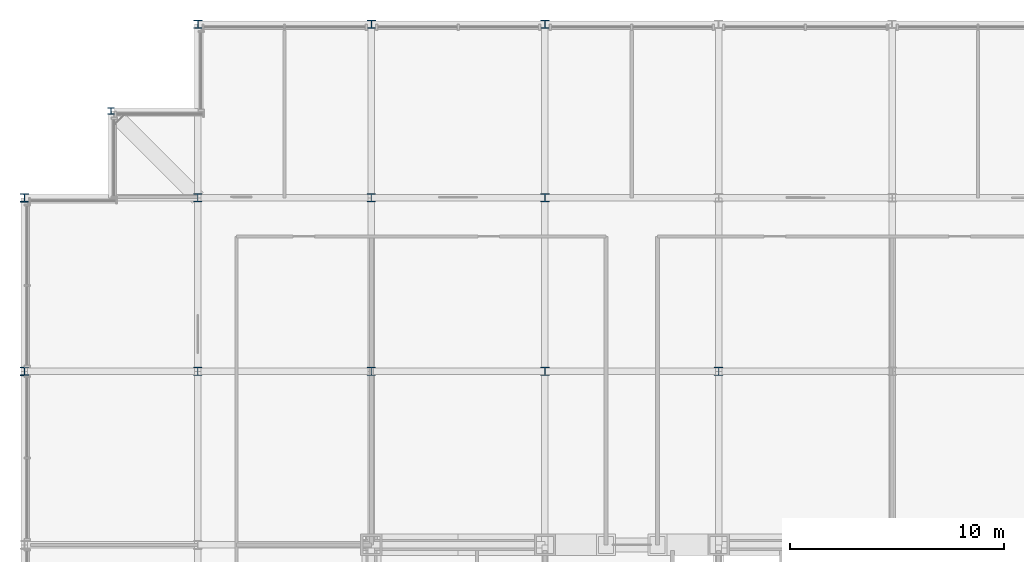
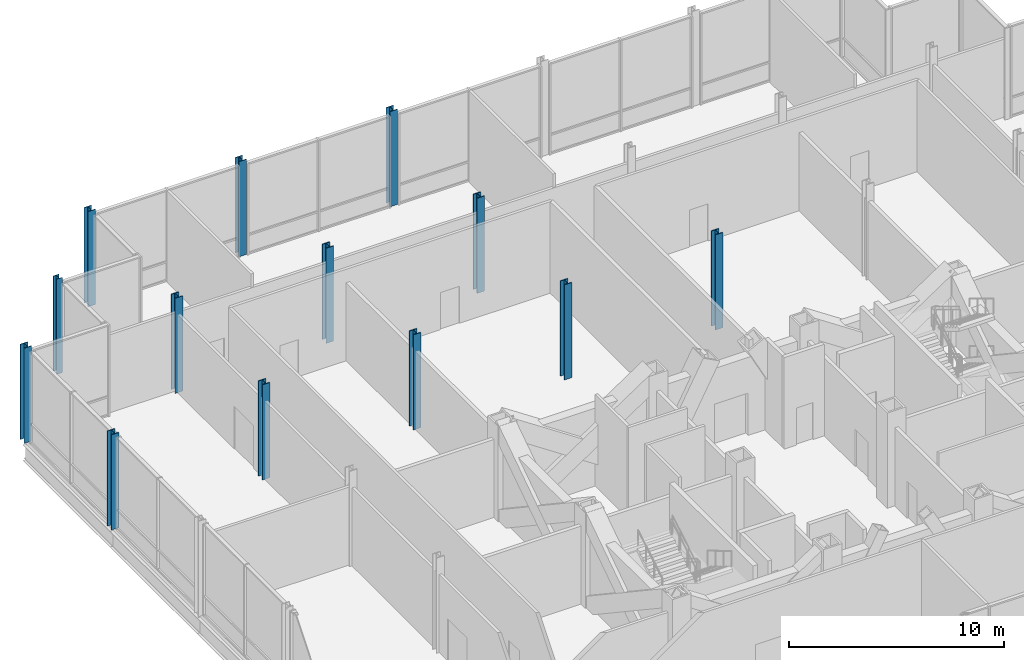
# One storey, part 3 of 21: 13 columns.
"""IFC4 building model written with IfcOpenShell, lengths in metres."""

import ifcopenshell
import ifcopenshell.guid

model = None  # the IFC model being written
_history = None  # IfcOwnerHistory: only IFC2X3 demands one
_inside = {}  # id of a spatial element -> (the spatial element, [elements in it])
_under = {}  # id of a project, library or spatial element -> (it, [spatial elements below it])
_declared = {}  # id of a project -> (the project, [libraries it declares])
_typed = {}  # id of a type object -> (the type object, [elements of that type])
_made_of = {}  # id of a material, layer set ... -> (it, [elements and type objects made of it])


def new_model(schema):
    """Start an empty IFC model of exactly this schema.

    Asked for "IFC4X3", IfcOpenShell would pick the latest addendum, in which some entities
    have other attributes; the version numbers below select the first issue.
    IFC2X3 requires an IfcOwnerHistory on every rooted entity: one is made here for all.
    """
    global model, _history
    if schema == "IFC4X3":
        model = ifcopenshell.file(schema_version=(4, 3, 0, 0))
    else:
        model = ifcopenshell.file(schema=schema)
    _inside.clear()
    _under.clear()
    _declared.clear()
    _typed.clear()
    _made_of.clear()
    _history = None
    if model.schema == "IFC2X3":
        org = make("IfcOrganization", Name="unknown")
        user = make(
            "IfcPersonAndOrganization",
            ThePerson=make("IfcPerson", FamilyName="unknown"),
            TheOrganization=org,
        )
        app = make(
            "IfcApplication",
            ApplicationDeveloper=org,
            Version="unknown",
            ApplicationFullName="unknown",
            ApplicationIdentifier="unknown",
        )
        _history = make(
            "IfcOwnerHistory",
            OwningUser=user,
            OwningApplication=app,
            ChangeAction="ADDED",
            CreationDate=0,
        )
    return model


def make(cls, **values):
    """One entity of the class cls with the attributes given. An attribute that is None is left unset."""
    return model.create_entity(
        cls, **{name: value for name, value in values.items() if value is not None}
    )


def rooted(cls, **values):
    """An entity with a GlobalId (a new one), such as an element, a storey or a relation."""
    return make(cls, GlobalId=ifcopenshell.guid.new(), OwnerHistory=_history, **values)


def si_unit(unit_type, name, prefix=None):
    """IfcSIUnit, for example si_unit("LENGTHUNIT", "METRE", prefix="MILLI")."""
    return make("IfcSIUnit", UnitType=unit_type, Prefix=prefix, Name=name)


def assignment(units):
    """IfcUnitAssignment: the units of a project."""
    return None if units is None else make("IfcUnitAssignment", Units=units)


def point(xyz):
    """IfcCartesianPoint."""
    return None if xyz is None else make("IfcCartesianPoint", Coordinates=xyz)


def direction(xyz):
    """IfcDirection."""
    return None if xyz is None else make("IfcDirection", DirectionRatios=xyz)


def frame(location, z_axis=None, x_axis=None):
    """IfcAxis2Placement3D, a coordinate frame: its origin and axes. An axis left out is left unset."""
    return make(
        "IfcAxis2Placement3D",
        Location=point(location),
        Axis=direction(z_axis),
        RefDirection=direction(x_axis),
    )


def frame_2d(location, x_axis=None):
    """IfcAxis2Placement2D, a coordinate frame in the plane: its origin and x axis."""
    return make(
        "IfcAxis2Placement2D", Location=point(location), RefDirection=direction(x_axis)
    )


def origin():
    """The frame at (0, 0, 0) with its axes left unset."""
    return frame((0.0, 0.0, 0.0))


def origin_2d():
    """The frame at (0, 0) in the plane with its x axis left unset."""
    return frame_2d((0.0, 0.0))


def place(relative_to, where):
    """IfcLocalPlacement: puts the frame where relative to a parent placement (None: the world)."""
    return make(
        "IfcLocalPlacement", PlacementRelTo=relative_to, RelativePlacement=where
    )


def context(
    kind, dimensions, precision=None, world=None, true_north=None, identifier=None
):
    """IfcGeometricRepresentationContext, for example the 3D "Model" context."""
    return make(
        "IfcGeometricRepresentationContext",
        ContextIdentifier=identifier,
        ContextType=kind,
        CoordinateSpaceDimension=dimensions,
        Precision=precision,
        WorldCoordinateSystem=world,
        TrueNorth=true_north,
    )


def subcontext(parent, identifier, kind, view, scale=None):
    """IfcGeometricRepresentationSubContext, for example "Body" below "Model"."""
    return make(
        "IfcGeometricRepresentationSubContext",
        ContextIdentifier=identifier,
        ContextType=kind,
        ParentContext=parent,
        TargetScale=scale,
        TargetView=view,
    )


def project(units=None, contexts=None):
    """IfcProject with its units and contexts."""
    return rooted(
        "IfcProject",
        Name="project",
        RepresentationContexts=contexts,
        UnitsInContext=assignment(units),
    )


def spatial(cls, under=None, at=None, **own):
    """A site, building, storey or space (cls), placed at a placement, below another one or the project."""
    s = rooted(cls, ObjectPlacement=at, **own)
    if under is not None:
        _under.setdefault(under.id(), (under, []))[1].append(s)
    return s


def profile(cls, at=None, kind="AREA", **sizes):
    """A parametric profile (cls). Its sizes go by their IFC names, for example OverallWidth=200.0."""
    return make(cls, ProfileType=kind, Position=at, **sizes)


def i_section(**sizes):
    """IfcIShapeProfileDef."""
    return profile("IfcIShapeProfileDef", **sizes)


def extrude(swept, where, along, depth):
    """IfcExtrudedAreaSolid: the profile swept, set in the frame where, extruded along a direction by depth."""
    return make(
        "IfcExtrudedAreaSolid",
        SweptArea=swept,
        Position=where,
        ExtrudedDirection=direction(along),
        Depth=depth,
    )


def shape(context_of_items, identifier, shape_type, items):
    """IfcShapeRepresentation: the items that make up one representation, for example the "Body"."""
    return make(
        "IfcShapeRepresentation",
        ContextOfItems=context_of_items,
        RepresentationIdentifier=identifier,
        RepresentationType=shape_type,
        Items=items,
    )


def material(Name=None, Category=None):
    """IfcMaterial."""
    return make("IfcMaterial", Name=Name, Category=Category)


def material_profile(
    of_material, cross_section, Name=None, Category=None, Priority=None
):
    """IfcMaterialProfile: a cross section and its material."""
    return make(
        "IfcMaterialProfile",
        Name=Name,
        Material=of_material,
        Profile=cross_section,
        Priority=Priority,
        Category=Category,
    )


def profile_set(profiles, Name=None, composite=None):
    """IfcMaterialProfileSet."""
    return make(
        "IfcMaterialProfileSet",
        Name=Name,
        MaterialProfiles=profiles,
        CompositeProfile=composite,
    )


def made_of(thing, what):
    """Note that an element or type object is made of a material, layer set ...; save() writes the relation."""
    if what is not None:
        _made_of.setdefault(what.id(), (what, []))[1].append(thing)
    return thing


def type_object(cls, material=None, **own):
    """A type object (cls), such as IfcWallType, which elements share."""
    return made_of(rooted(cls, **own), material)


def element(
    cls,
    number,
    at=None,
    inside=None,
    cuts=None,
    type_object=None,
    material=None,
    context=None,
    identifier="Body",
    shape_type=None,
    held_by="IfcProductDefinitionShape",
    body=None,
    shapes=None,
    **own,
):
    """One element of the class cls, such as IfcWall. Its Tag is "e" and its number.

    at: its placement. inside: the storey or other place that contains it. cuts: it is an
    opening in that element (IfcRelVoidsElement). A single representation is given by context,
    identifier, shape_type and body (its items); several are given by shapes. held_by: the class
    of the entity that holds the representations. save() writes the other relations.
    """
    e = rooted(cls, Tag="e%d" % number, ObjectPlacement=at, **own)
    if body is not None:
        shapes = [shape(context, identifier, shape_type, body)]
    if shapes is not None:
        e.Representation = make(held_by, Representations=shapes)
    if inside is not None:
        _inside.setdefault(inside.id(), (inside, []))[1].append(e)
    if cuts is not None:
        rooted(
            "IfcRelVoidsElement", RelatingBuildingElement=cuts, RelatedOpeningElement=e
        )
    if type_object is not None:
        _typed.setdefault(type_object.id(), (type_object, []))[1].append(e)
    return made_of(e, material)


def aggregate(whole, parts):
    """IfcRelAggregates: a whole, such as a stair, and the parts it consists of."""
    return rooted("IfcRelAggregates", RelatingObject=whole, RelatedObjects=parts)


def save(model, path):
    """Write the relations noted so far, then the file.

    IfcRelAggregates (storeys below a building ...), IfcRelContainedInSpatialStructure (elements
    in a storey), IfcRelDefinesByType, IfcRelAssociatesMaterial and IfcRelDeclares: one each for
    every whole, place, type object, material and project.
    """
    for whole, parts in _under.values():
        aggregate(whole, parts)
    for where, things in _inside.values():
        rooted(
            "IfcRelContainedInSpatialStructure",
            RelatedElements=things,
            RelatingStructure=where,
        )
    for kind, things in _typed.values():
        rooted("IfcRelDefinesByType", RelatedObjects=things, RelatingType=kind)
    for what, things in _made_of.values():
        rooted("IfcRelAssociatesMaterial", RelatedObjects=things, RelatingMaterial=what)
    for by, libraries in _declared.values():
        rooted("IfcRelDeclares", RelatingContext=by, RelatedDefinitions=libraries)
    model.write(path)


model = new_model("IFC4")

# Units and contexts
model_context = context("Model", 3, precision=1e-05, world=origin(), true_north=direction((0.0, 1.0)))
body_context = subcontext(model_context, "Body", "Model", "MODEL_VIEW")
ifc_project = project(units=[si_unit("LENGTHUNIT", "METRE"), si_unit("AREAUNIT", "SQUARE_METRE"), si_unit("VOLUMEUNIT", "CUBIC_METRE"), si_unit("PLANEANGLEUNIT", "RADIAN"), si_unit("MASSUNIT", "GRAM", prefix="KILO")], contexts=[model_context])

# Site, building, storey
site_placement = place(None, origin())
site = spatial("IfcSite", under=ifc_project, at=site_placement, CompositionType="ELEMENT")
building_placement = place(site_placement, origin())
building = spatial("IfcBuilding", under=site, at=building_placement, Name="Kopane Lantern Tower", CompositionType="ELEMENT")
storey_placement = place(building_placement, frame((0.0, 0.0, 298.5)))
storey = spatial("IfcBuildingStorey", under=building, at=storey_placement, Name="L76", CompositionType="ELEMENT", Elevation=298.5)

# Columns
ifc_material_1 = material(Name="Steel S355JR", Category="steel")
ifc_material_profile_1 = material_profile(ifc_material_1, i_section(OverallWidth=0.307373046875, OverallDepth=0.314453125, WebThickness=0.011962890625, FlangeThickness=0.018798828125, FilletRadius=0.01513671875, at=origin_2d()), Name="UC 305x305x118")
ifc_profile_set_1 = profile_set([ifc_material_profile_1], Name="Steel S355JR")
column_type_1 = type_object("IfcColumnType", Name="COLUMN UC 305x305x118", PredefinedType="COLUMN", material=ifc_profile_set_1)
column_placement = place(storey_placement, frame((4.050048828125, 60.75, 0.0), z_axis=(0.0, 0.0, 1.0), x_axis=(1.0, 0.0, 0.0)))
element("IfcColumn", 1, at=column_placement, inside=storey, type_object=column_type_1, Name="Column 4.05/60.75 L76", PredefinedType="COLUMN", context=body_context, shape_type="SweptSolid", body=[
    extrude(i_section(OverallWidth=0.307373046875, OverallDepth=0.314453125, WebThickness=0.011962890625, FlangeThickness=0.018798828125, FilletRadius=0.01513671875, at=origin_2d()), origin(), (0.0, 0.0, 1.0), 5.39990234375),
])
ifc_material_2 = material(Name="Steel S355JR", Category="steel")
ifc_material_profile_2 = material_profile(ifc_material_2, i_section(OverallWidth=0.39892578125, OverallDepth=0.3935546875, WebThickness=0.022705078125, FlangeThickness=0.03662109375, FilletRadius=0.01513671875, at=origin_2d()), Name="UC 356x406x287")
ifc_profile_set_2 = profile_set([ifc_material_profile_2], Name="Steel S355JR")
column_type_2 = type_object("IfcColumnType", Name="COLUMN UC 356x406x287", PredefinedType="COLUMN", material=ifc_profile_set_2)
for number, where, z_axis, x_axis, name in (
    (2, (0.0, 48.60009765625, 0.0), (0.0, 0.0, 1.0), (1.0, 0.0, 0.0), "Column 2/H L76"),
    (3, (0.0, 56.699951171875, 0.0), (0.0, 0.0, 1.0), (1.0, 0.0, 0.0), "Column 2/J L76"),
    (4, (8.10009765625, 64.800048828125, 0.0), (0.0, 0.0, 1.0), (1.0, 0.0, 0.0), "Column 3/K L76"),
    (5, (16.199951171875, 64.800048828125, 0.0), (0.0, 0.0, 1.0), (1.0, 0.0, 0.0), "Column 4/K L76"),
    (6, (24.300048828125, 64.800048828125, 0.0), (0.0, 0.0, 1.0), (1.0, 0.0, 0.0), "Column 5/K L76"),
):
    element("IfcColumn", number, at=place(storey_placement, frame(where, z_axis=z_axis, x_axis=x_axis)), inside=storey, type_object=column_type_2, Name=name, PredefinedType="COLUMN", context=body_context, shape_type="SweptSolid", body=[
        extrude(i_section(OverallWidth=0.39892578125, OverallDepth=0.3935546875, WebThickness=0.022705078125, FlangeThickness=0.03662109375, FilletRadius=0.01513671875, at=origin_2d()), origin(), (0.0, 0.0, 1.0), 5.39990234375),
    ])
ifc_material_3 = material(Name="Steel S355JR", Category="steel")
ifc_material_profile_3 = material_profile(ifc_material_3, i_section(OverallWidth=0.403076171875, OverallDepth=0.406494140625, WebThickness=0.026611328125, FlangeThickness=0.04296875, FilletRadius=0.01513671875, at=origin_2d()), Name="UC 356x406x340")
ifc_profile_set_3 = profile_set([ifc_material_profile_3], Name="Steel S355JR")
column_type_3 = type_object("IfcColumnType", Name="COLUMN UC 356x406x340", PredefinedType="COLUMN", material=ifc_profile_set_3)
for number, where, z_axis, x_axis, name in (
    (7, (8.10009765625, 48.60009765625, 0.0), (0.0, 0.0, 1.0), (1.0, 0.0, 0.0), "Column 3/H L76"),
    (8, (8.10009765625, 56.699951171875, 0.0), (0.0, 0.0, 1.0), (1.0, 0.0, 0.0), "Column 3/J L76"),
    (9, (16.199951171875, 48.60009765625, 0.0), (0.0, 0.0, 1.0), (1.0, 0.0, 0.0), "Column 4/H L76"),
    (10, (16.199951171875, 56.699951171875, 0.0), (0.0, 0.0, 1.0), (1.0, 0.0, 0.0), "Column 4/J L76"),
    (11, (24.300048828125, 48.60009765625, 0.0), (0.0, 0.0, 1.0), (1.0, 0.0, 0.0), "Column 5/H L76"),
    (12, (24.300048828125, 56.699951171875, 0.0), (0.0, 0.0, 1.0), (1.0, 0.0, 0.0), "Column 5/J L76"),
    (13, (32.39990234375, 48.60009765625, 0.0), (0.0, 0.0, 1.0), (1.0, 0.0, 0.0), "Column 6/H L76"),
):
    element("IfcColumn", number, at=place(storey_placement, frame(where, z_axis=z_axis, x_axis=x_axis)), inside=storey, type_object=column_type_3, Name=name, PredefinedType="COLUMN", context=body_context, shape_type="SweptSolid", body=[
        extrude(i_section(OverallWidth=0.403076171875, OverallDepth=0.406494140625, WebThickness=0.026611328125, FlangeThickness=0.04296875, FilletRadius=0.01513671875, at=origin_2d()), origin(), (0.0, 0.0, 1.0), 5.39990234375),
    ])

save(model, "model.ifc")
